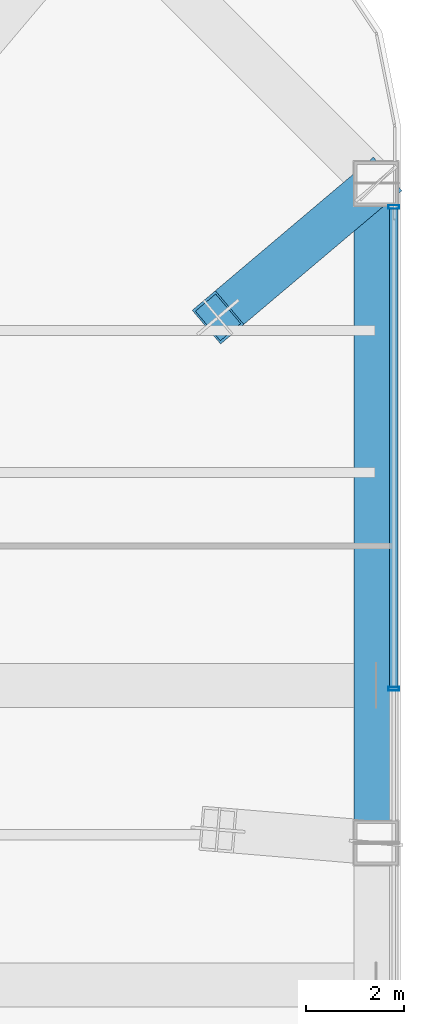
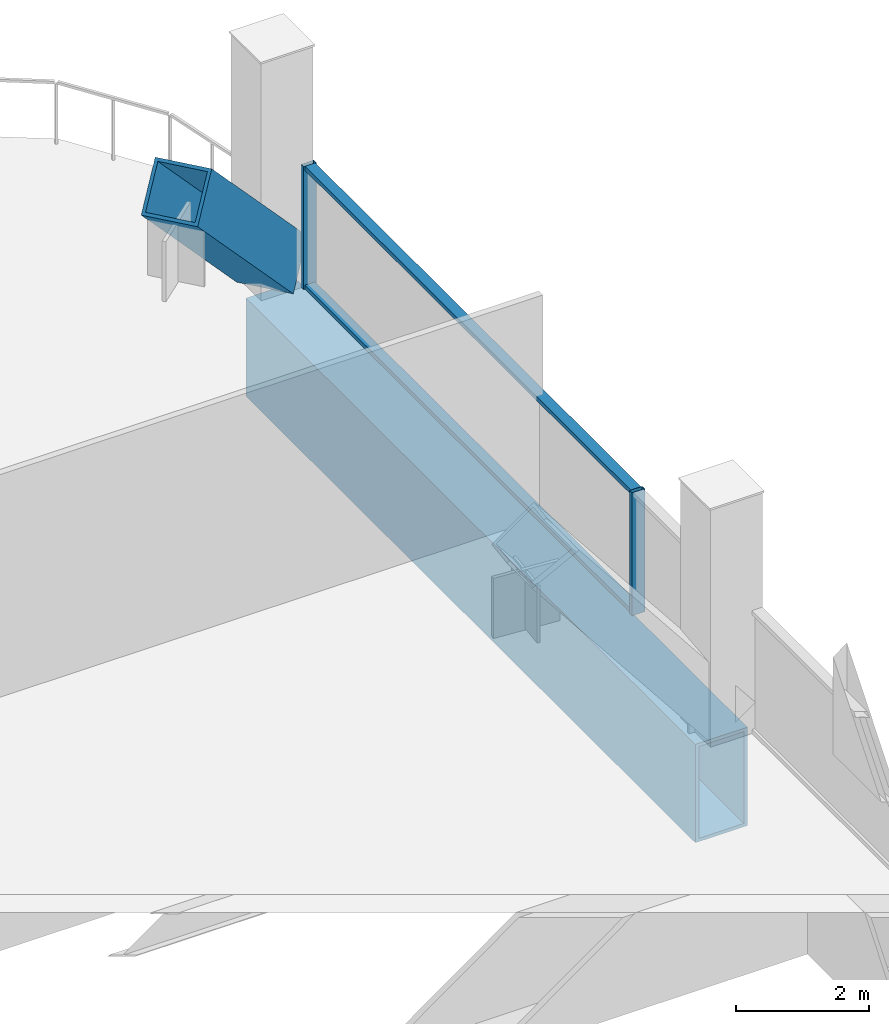
# One storey, part 23 of 38: 5 members, 1 beam, 1 element without a shape of its own.
"""IFC4 building model written with IfcOpenShell, lengths in metres."""

from ifc_helpers import new_model, si_unit, direction, frame, origin, origin_2d, place, context, subcontext, project, spatial, hollow_rectangle, extrude, material, layer, layer_set, material_profile, profile_set, type_object, element, aggregate, save


model = new_model("IFC4")

# Units and contexts
model_context = context("Model", 3, precision=1e-05, world=origin(), true_north=direction((0.0, 1.0)))
body_context = subcontext(model_context, "Body", "Model", "MODEL_VIEW")
ifc_project = project(units=[si_unit("LENGTHUNIT", "METRE"), si_unit("AREAUNIT", "SQUARE_METRE"), si_unit("VOLUMEUNIT", "CUBIC_METRE"), si_unit("PLANEANGLEUNIT", "RADIAN"), si_unit("MASSUNIT", "GRAM", prefix="KILO")], contexts=[model_context])

# Site, building, storey
site_placement = place(None, origin())
site = spatial("IfcSite", under=ifc_project, at=site_placement, CompositionType="ELEMENT")
building_placement = place(site_placement, origin())
building = spatial("IfcBuilding", under=site, at=building_placement, Name="Qhalaya Broadcast Tower", CompositionType="ELEMENT")
storey_placement = place(building_placement, frame((0.0, 0.0, 53.550048828125)))
storey = spatial("IfcBuildingStorey", under=building, at=storey_placement, Name="L15", CompositionType="ELEMENT", Elevation=53.550048828125)

# Beam
ifc_material_1 = material(Name="Structural Steel ASTM A572 Grade 50", Category="steel")
ifc_material_profile_1 = material_profile(ifc_material_1, hollow_rectangle(XDim=0.89990234375, YDim=1.800048828125, WallThickness=0.06005859375, at=origin_2d()), Name="BOX 900x1800x60")
ifc_profile_set_1 = profile_set([ifc_material_profile_1], Name="Structural Steel ASTM A572 Grade 50")
beam_type = type_object("IfcBeamType", Name="Block Cantilever Transfer Box Girder TG1", PredefinedType="USERDEFINED", material=ifc_profile_set_1)
beam_placement = place(storey_placement, frame((25.89990234375, 6.7333984375, -1.1201171875), z_axis=(0.0, 1.0, 0.0), x_axis=(-1.0, 0.0, 0.0)))
element("IfcBeam", 1, at=beam_placement, inside=storey, type_object=beam_type, Name="L15 TG1 L15-SPR-07", ObjectType="GIRDER", PredefinedType="USERDEFINED", context=body_context, shape_type="SweptSolid", body=[
    extrude(hollow_rectangle(XDim=0.89990234375, YDim=1.800048828125, WallThickness=0.06005859375, at=origin_2d()), origin(), (0.0, 0.0, 1.0), 13.466552734375),
])

# Member
ifc_material_profile_2 = material_profile(ifc_material_1, hollow_rectangle(XDim=0.89990234375, YDim=0.89990234375, WallThickness=0.054931640625, at=origin_2d()), Name="BOX 900x900x55")
ifc_profile_set_2 = profile_set([ifc_material_profile_2], Name="Structural Steel ASTM A572 Grade 50")
member_type_1 = type_object("IfcMemberType", Name="Heavy Exoskeleton Transfer Strut RK1", PredefinedType="BRACE", material=ifc_profile_set_2)
member_1_placement = place(storey_placement, frame((25.89990234375, 20.199951171875, 0.33642578125), z_axis=(-0.55399273206, -0.468234824633, 0.688366328219), x_axis=(0.64551773918, -0.763745277173, 0.0)))
element("IfcMember", 2, at=member_1_placement, inside=storey, type_object=member_type_1, Name="L15 Inclined Exoskeleton Transfer Strut 08", PredefinedType="BRACE", context=body_context, shape_type="SweptSolid", body=[
    extrude(hollow_rectangle(XDim=0.89990234375, YDim=0.89990234375, WallThickness=0.054931640625, at=origin_2d()), origin(), (0.0, 0.0, 1.0), 5.830322265625),
])

# Curtain wall, members
ifc_material_2 = material(Name="Fired Architectural Terracotta", Category="masonry")
ifc_layer = layer(ifc_material_2, 0.219970703125, Name="Fired Architectural Terracotta")
ifc_layer_set = layer_set([ifc_layer], Name="Fired Architectural Terracotta")
curtain_wall_type = type_object("IfcCurtainWallType", Name="Block-Cap Unitised Terracotta Spandrel Wall CW-07", PredefinedType="NOTDEFINED", material=ifc_layer_set)
curtain_wall_placement = place(storey_placement, origin())
curtain_wall = element("IfcCurtainWall", 3, at=curtain_wall_placement, inside=storey, type_object=curtain_wall_type, Name="L15 Unitised Curtain Wall L15-CW-E", PredefinedType="NOTDEFINED")
ifc_material_3 = material(Name="Anodised Aluminium 6063-T6", Category="aluminium")
ifc_material_profile_3 = material_profile(ifc_material_3, hollow_rectangle(XDim=0.074951171875, YDim=0.219970703125, WallThickness=0.00390625, at=origin_2d()), Name="ALU-MUL 75x220x4")
ifc_profile_set_3 = profile_set([ifc_material_profile_3], Name="Anodised Aluminium 6063-T6")
member_type_2 = type_object("IfcMemberType", Name="Unitised Curtain-Wall Mullion M01", PredefinedType="MULLION", material=ifc_profile_set_3)
member_2_placement = place(storey_placement, frame((26.260009765625, 19.724609375, 0.0), z_axis=(0.0, 0.0, 1.0), x_axis=(0.0, -1.0, 0.0)))
member_2 = element("IfcMember", 4, at=member_2_placement, type_object=member_type_2, Name="CW-07 mullion 1", PredefinedType="MULLION", context=body_context, shape_type="SweptSolid", body=[
    extrude(hollow_rectangle(XDim=0.074951171875, YDim=0.219970703125, WallThickness=0.00390625, at=origin_2d()), origin(), (0.0, 0.0, 1.0), 2.25),
])
member_3_placement = place(storey_placement, frame((26.260009765625, 9.881103515625, 0.0), z_axis=(0.0, 0.0, 1.0), x_axis=(0.0, -1.0, 0.0)))
member_3 = element("IfcMember", 5, at=member_3_placement, type_object=member_type_2, Name="CW-07 mullion 2", PredefinedType="MULLION", context=body_context, shape_type="SweptSolid", body=[
    extrude(hollow_rectangle(XDim=0.074951171875, YDim=0.219970703125, WallThickness=0.00390625, at=origin_2d()), origin(), (0.0, 0.0, 1.0), 2.25),
])
ifc_material_profile_4 = material_profile(ifc_material_3, hollow_rectangle(XDim=0.074951171875, YDim=0.179931640625, WallThickness=0.00390625, at=origin_2d()), Name="ALU-TRN 75x180x4")
ifc_profile_set_4 = profile_set([ifc_material_profile_4], Name="Anodised Aluminium 6063-T6")
member_type_3 = type_object("IfcMemberType", Name="Unitised Curtain-Wall Transom T01", PredefinedType="USERDEFINED", material=ifc_profile_set_4)
member_4_placement = place(storey_placement, frame((26.260009765625, 19.68701171875, 0.037353515625), z_axis=(0.0, -1.0, 0.0), x_axis=(0.0, 0.0, 1.0)))
member_4 = element("IfcMember", 6, at=member_4_placement, type_object=member_type_3, Name="CW-07 transom 1.1", ObjectType="TRANSOM", PredefinedType="USERDEFINED", context=body_context, shape_type="SweptSolid", body=[
    extrude(hollow_rectangle(XDim=0.074951171875, YDim=0.179931640625, WallThickness=0.00390625, at=origin_2d()), origin(), (0.0, 0.0, 1.0), 9.7685546875),
])
member_5_placement = place(storey_placement, frame((26.260009765625, 19.68701171875, 2.21240234375), z_axis=(0.0, -1.0, 0.0), x_axis=(0.0, 0.0, 1.0)))
member_5 = element("IfcMember", 7, at=member_5_placement, type_object=member_type_3, Name="CW-07 transom 1.2", ObjectType="TRANSOM", PredefinedType="USERDEFINED", context=body_context, shape_type="SweptSolid", body=[
    extrude(hollow_rectangle(XDim=0.074951171875, YDim=0.179931640625, WallThickness=0.00390625, at=origin_2d()), origin(), (0.0, 0.0, 1.0), 9.7685546875),
])
aggregate(curtain_wall, [member_2, member_3, member_4, member_5])

save(model, "model.ifc")
